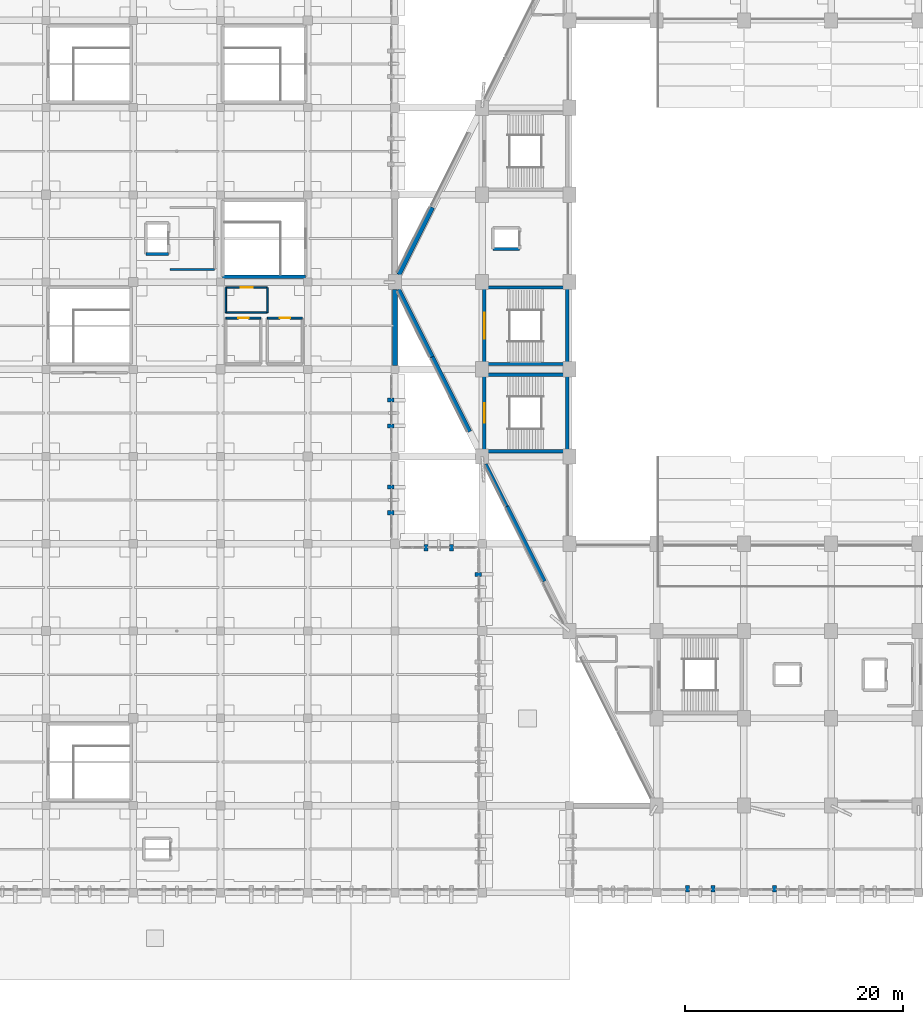
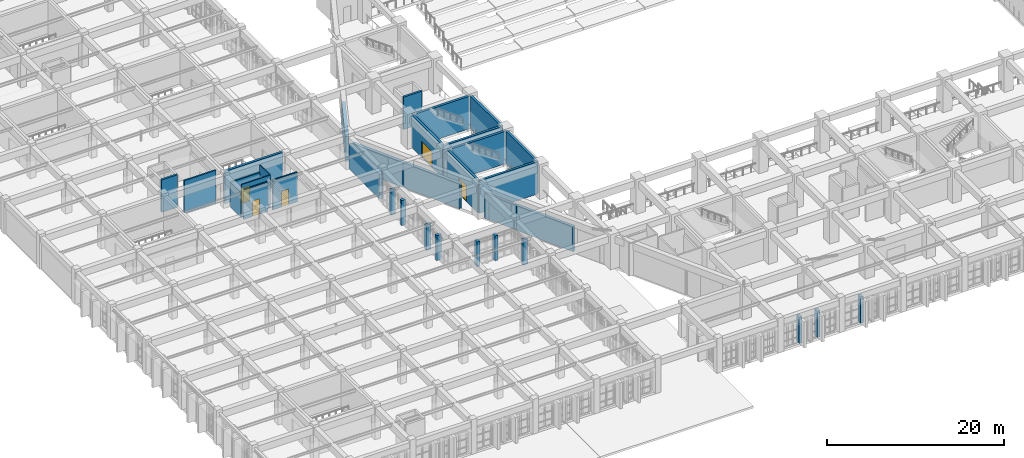
# One storey, part 134 of 155: 34 walls, 5 doors, 5 openings.
"""IFC4 building model written with IfcOpenShell, lengths in metres."""

import ifcopenshell
import ifcopenshell.guid

model = None  # the IFC model being written
_history = None  # IfcOwnerHistory: only IFC2X3 demands one
_inside = {}  # id of a spatial element -> (the spatial element, [elements in it])
_under = {}  # id of a project, library or spatial element -> (it, [spatial elements below it])
_declared = {}  # id of a project -> (the project, [libraries it declares])
_typed = {}  # id of a type object -> (the type object, [elements of that type])
_made_of = {}  # id of a material, layer set ... -> (it, [elements and type objects made of it])


def new_model(schema):
    """Start an empty IFC model of exactly this schema.

    Asked for "IFC4X3", IfcOpenShell would pick the latest addendum, in which some entities
    have other attributes; the version numbers below select the first issue.
    IFC2X3 requires an IfcOwnerHistory on every rooted entity: one is made here for all.
    """
    global model, _history
    if schema == "IFC4X3":
        model = ifcopenshell.file(schema_version=(4, 3, 0, 0))
    else:
        model = ifcopenshell.file(schema=schema)
    _inside.clear()
    _under.clear()
    _declared.clear()
    _typed.clear()
    _made_of.clear()
    _history = None
    if model.schema == "IFC2X3":
        org = make("IfcOrganization", Name="unknown")
        user = make(
            "IfcPersonAndOrganization",
            ThePerson=make("IfcPerson", FamilyName="unknown"),
            TheOrganization=org,
        )
        app = make(
            "IfcApplication",
            ApplicationDeveloper=org,
            Version="unknown",
            ApplicationFullName="unknown",
            ApplicationIdentifier="unknown",
        )
        _history = make(
            "IfcOwnerHistory",
            OwningUser=user,
            OwningApplication=app,
            ChangeAction="ADDED",
            CreationDate=0,
        )
    return model


def make(cls, **values):
    """One entity of the class cls with the attributes given. An attribute that is None is left unset."""
    return model.create_entity(
        cls, **{name: value for name, value in values.items() if value is not None}
    )


def rooted(cls, **values):
    """An entity with a GlobalId (a new one), such as an element, a storey or a relation."""
    return make(cls, GlobalId=ifcopenshell.guid.new(), OwnerHistory=_history, **values)


def si_unit(unit_type, name, prefix=None):
    """IfcSIUnit, for example si_unit("LENGTHUNIT", "METRE", prefix="MILLI")."""
    return make("IfcSIUnit", UnitType=unit_type, Prefix=prefix, Name=name)


def assignment(units):
    """IfcUnitAssignment: the units of a project."""
    return None if units is None else make("IfcUnitAssignment", Units=units)


def point(xyz):
    """IfcCartesianPoint."""
    return None if xyz is None else make("IfcCartesianPoint", Coordinates=xyz)


def direction(xyz):
    """IfcDirection."""
    return None if xyz is None else make("IfcDirection", DirectionRatios=xyz)


def frame(location, z_axis=None, x_axis=None):
    """IfcAxis2Placement3D, a coordinate frame: its origin and axes. An axis left out is left unset."""
    return make(
        "IfcAxis2Placement3D",
        Location=point(location),
        Axis=direction(z_axis),
        RefDirection=direction(x_axis),
    )


def frame_2d(location, x_axis=None):
    """IfcAxis2Placement2D, a coordinate frame in the plane: its origin and x axis."""
    return make(
        "IfcAxis2Placement2D", Location=point(location), RefDirection=direction(x_axis)
    )


def origin():
    """The frame at (0, 0, 0) with its axes left unset."""
    return frame((0.0, 0.0, 0.0))


def place(relative_to, where):
    """IfcLocalPlacement: puts the frame where relative to a parent placement (None: the world)."""
    return make(
        "IfcLocalPlacement", PlacementRelTo=relative_to, RelativePlacement=where
    )


def context(
    kind, dimensions, precision=None, world=None, true_north=None, identifier=None
):
    """IfcGeometricRepresentationContext, for example the 3D "Model" context."""
    return make(
        "IfcGeometricRepresentationContext",
        ContextIdentifier=identifier,
        ContextType=kind,
        CoordinateSpaceDimension=dimensions,
        Precision=precision,
        WorldCoordinateSystem=world,
        TrueNorth=true_north,
    )


def subcontext(parent, identifier, kind, view, scale=None):
    """IfcGeometricRepresentationSubContext, for example "Body" below "Model"."""
    return make(
        "IfcGeometricRepresentationSubContext",
        ContextIdentifier=identifier,
        ContextType=kind,
        ParentContext=parent,
        TargetScale=scale,
        TargetView=view,
    )


def project(units=None, contexts=None):
    """IfcProject with its units and contexts."""
    return rooted(
        "IfcProject",
        Name="project",
        RepresentationContexts=contexts,
        UnitsInContext=assignment(units),
    )


def spatial(cls, under=None, at=None, **own):
    """A site, building, storey or space (cls), placed at a placement, below another one or the project."""
    s = rooted(cls, ObjectPlacement=at, **own)
    if under is not None:
        _under.setdefault(under.id(), (under, []))[1].append(s)
    return s


def profile(cls, at=None, kind="AREA", **sizes):
    """A parametric profile (cls). Its sizes go by their IFC names, for example OverallWidth=200.0."""
    return make(cls, ProfileType=kind, Position=at, **sizes)


def rectangle(**sizes):
    """IfcRectangleProfileDef."""
    return profile("IfcRectangleProfileDef", **sizes)


def extrude(swept, where, along, depth):
    """IfcExtrudedAreaSolid: the profile swept, set in the frame where, extruded along a direction by depth."""
    return make(
        "IfcExtrudedAreaSolid",
        SweptArea=swept,
        Position=where,
        ExtrudedDirection=direction(along),
        Depth=depth,
    )


def shape(context_of_items, identifier, shape_type, items):
    """IfcShapeRepresentation: the items that make up one representation, for example the "Body"."""
    return make(
        "IfcShapeRepresentation",
        ContextOfItems=context_of_items,
        RepresentationIdentifier=identifier,
        RepresentationType=shape_type,
        Items=items,
    )


def material(Name=None, Category=None):
    """IfcMaterial."""
    return make("IfcMaterial", Name=Name, Category=Category)


def layer(
    of_material, thickness, ventilated=None, Name=None, Category=None, Priority=None
):
    """IfcMaterialLayer: one layer of a wall or slab, of a material (None: an air gap)."""
    return make(
        "IfcMaterialLayer",
        Material=of_material,
        LayerThickness=thickness,
        IsVentilated=ventilated,
        Name=Name,
        Category=Category,
        Priority=Priority,
    )


def layer_set(layers, Name=None):
    """IfcMaterialLayerSet."""
    return make("IfcMaterialLayerSet", MaterialLayers=layers, LayerSetName=Name)


def made_of(thing, what):
    """Note that an element or type object is made of a material, layer set ...; save() writes the relation."""
    if what is not None:
        _made_of.setdefault(what.id(), (what, []))[1].append(thing)
    return thing


def type_object(cls, material=None, **own):
    """A type object (cls), such as IfcWallType, which elements share."""
    return made_of(rooted(cls, **own), material)


def element(
    cls,
    number,
    at=None,
    inside=None,
    cuts=None,
    type_object=None,
    material=None,
    context=None,
    identifier="Body",
    shape_type=None,
    held_by="IfcProductDefinitionShape",
    body=None,
    shapes=None,
    **own,
):
    """One element of the class cls, such as IfcWall. Its Tag is "e" and its number.

    at: its placement. inside: the storey or other place that contains it. cuts: it is an
    opening in that element (IfcRelVoidsElement). A single representation is given by context,
    identifier, shape_type and body (its items); several are given by shapes. held_by: the class
    of the entity that holds the representations. save() writes the other relations.
    """
    e = rooted(cls, Tag="e%d" % number, ObjectPlacement=at, **own)
    if body is not None:
        shapes = [shape(context, identifier, shape_type, body)]
    if shapes is not None:
        e.Representation = make(held_by, Representations=shapes)
    if inside is not None:
        _inside.setdefault(inside.id(), (inside, []))[1].append(e)
    if cuts is not None:
        rooted(
            "IfcRelVoidsElement", RelatingBuildingElement=cuts, RelatedOpeningElement=e
        )
    if type_object is not None:
        _typed.setdefault(type_object.id(), (type_object, []))[1].append(e)
    return made_of(e, material)


def fill(opening, filler):
    """IfcRelFillsElement: the door or window that sits in an opening."""
    return rooted(
        "IfcRelFillsElement",
        RelatingOpeningElement=opening,
        RelatedBuildingElement=filler,
    )


def aggregate(whole, parts):
    """IfcRelAggregates: a whole, such as a stair, and the parts it consists of."""
    return rooted("IfcRelAggregates", RelatingObject=whole, RelatedObjects=parts)


def save(model, path):
    """Write the relations noted so far, then the file.

    IfcRelAggregates (storeys below a building ...), IfcRelContainedInSpatialStructure (elements
    in a storey), IfcRelDefinesByType, IfcRelAssociatesMaterial and IfcRelDeclares: one each for
    every whole, place, type object, material and project.
    """
    for whole, parts in _under.values():
        aggregate(whole, parts)
    for where, things in _inside.values():
        rooted(
            "IfcRelContainedInSpatialStructure",
            RelatedElements=things,
            RelatingStructure=where,
        )
    for kind, things in _typed.values():
        rooted("IfcRelDefinesByType", RelatedObjects=things, RelatingType=kind)
    for what, things in _made_of.values():
        rooted("IfcRelAssociatesMaterial", RelatedObjects=things, RelatingMaterial=what)
    for by, libraries in _declared.values():
        rooted("IfcRelDeclares", RelatingContext=by, RelatedDefinitions=libraries)
    model.write(path)


model = new_model("IFC4")

# Units and contexts
model_context = context("Model", 3, precision=1e-05, world=origin(), true_north=direction((0.0, 1.0)))
body_context = subcontext(model_context, "Body", "Model", "MODEL_VIEW")
ifc_project = project(units=[si_unit("LENGTHUNIT", "METRE"), si_unit("AREAUNIT", "SQUARE_METRE"), si_unit("VOLUMEUNIT", "CUBIC_METRE"), si_unit("PLANEANGLEUNIT", "RADIAN"), si_unit("MASSUNIT", "GRAM", prefix="KILO")], contexts=[model_context])

# Site, building, storey
site_placement = place(None, origin())
site = spatial("IfcSite", under=ifc_project, at=site_placement, CompositionType="ELEMENT")
building_placement = place(site_placement, origin())
building = spatial("IfcBuilding", under=site, at=building_placement, Name="Tazarka Park Arena", CompositionType="ELEMENT")
storey_placement = place(building_placement, frame((0.0, 0.0, 5.39990234375)))
storey = spatial("IfcBuildingStorey", under=building, at=storey_placement, Name="L01", CompositionType="ELEMENT", Elevation=5.39990234375)

# Wall
ifc_material_1 = material(Name="Concrete C40/50", Category="concrete")
ifc_layer_1 = layer(ifc_material_1, 0.300048828125, Name="Concrete C40/50")
ifc_layer_set_1 = layer_set([ifc_layer_1], Name="Concrete C40/50")
wall_type_1 = type_object("IfcWallType", Name="IWAL-CW-S1", PredefinedType="SHEAR", material=ifc_layer_set_1)
wall_1_placement = place(storey_placement, frame((55.800048828125, 56.5, 0.0), z_axis=(0.0, 0.0, 1.0), x_axis=(-1.0, 0.0, 0.0)))
element("IfcWall", 1, at=wall_1_placement, inside=storey, type_object=wall_type_1, Name="SCW-L01-ST13-S", PredefinedType="SHEAR", context=body_context, shape_type="SweptSolid", body=[
    extrude(rectangle(XDim=7.60009765625, YDim=0.300048828125, at=frame_2d((3.800048828125, 0.0))), origin(), (0.0, 0.0, 1.0), 4.47998046875),
])

# Wall, opening, door
wall_2_placement = place(storey_placement, frame((48.199951171875, 56.5, 0.0), z_axis=(0.0, 0.0, 1.0), x_axis=(0.0, 1.0, 0.0)))
wall_2 = element("IfcWall", 2, at=wall_2_placement, inside=storey, type_object=wall_type_1, Name="SCW-L01-ST13-W", PredefinedType="SHEAR", context=body_context, shape_type="SweptSolid", body=[
    extrude(rectangle(XDim=7.0, YDim=0.300048828125, at=frame_2d((3.5, 0.0))), origin(), (0.0, 0.0, 1.0), 4.47998046875),
])
opening_1_placement = place(wall_2_placement, frame((2.300048828125, 0.0, 0.0)))
opening_1 = element("IfcOpeningElement", 3, at=opening_1_placement, cuts=wall_2, Name="Opening ID-05", PredefinedType="OPENING", context=body_context, shape_type="SweptSolid", body=[
    extrude(rectangle(XDim=2.39990234375, YDim=2.199951171875, at=frame_2d((1.199951171875, 1.10009765625))), frame((0.0, 0.16015625, 0.0), z_axis=(0.0, -1.0, 0.0), x_axis=(1.0, 0.0, 0.0)), (0.0, 0.0, 1.0), 0.320068359375),
])
ifc_material_2 = material(Name="Fire-rated powder-coated steel and acoustic timber", Category="steel")
door_type_1 = type_object("IfcDoorType", Name="IDR-ID-05", OperationType="NOTDEFINED", PredefinedType="DOOR", material=ifc_material_2)
door_1_placement = place(opening_1_placement, frame((2.39990234375, 0.0, 0.0), z_axis=(0.0, 0.0, 1.0), x_axis=(-1.0, 0.0, 0.0)))
door_1 = element("IfcDoor", 4, at=door_1_placement, inside=storey, type_object=door_type_1, Name="Exit Stair Door ST13-L01", OperationType="DOUBLE_DOOR_SINGLE_SWING", OverallHeight=2.199951171875, OverallWidth=2.39990234375, PredefinedType="DOOR", context=body_context, shape_type="SweptSolid", body=[
    extrude(rectangle(XDim=2.39990234375, YDim=2.199951171875, at=frame_2d((1.199951171875, 1.10009765625))), frame((0.0, 0.02490234375, 0.0), z_axis=(0.0, -1.0, 0.0), x_axis=(1.0, 0.0, 0.0)), (0.0, 0.0, 1.0), 0.050048828125),
])
fill(opening_1, door_1)

# Walls
wall_3_placement = place(storey_placement, frame((48.199951171875, 63.5, 0.0), z_axis=(0.0, 0.0, 1.0), x_axis=(1.0, 0.0, 0.0)))
element("IfcWall", 5, at=wall_3_placement, inside=storey, type_object=wall_type_1, Name="SCW-L01-ST13-N", PredefinedType="SHEAR", context=body_context, shape_type="SweptSolid", body=[
    extrude(rectangle(XDim=7.60009765625, YDim=0.300048828125, at=frame_2d((3.800048828125, 0.0))), origin(), (0.0, 0.0, 1.0), 4.47998046875),
])
wall_4_placement = place(storey_placement, frame((55.800048828125, 63.5, 0.0), z_axis=(0.0, 0.0, 1.0), x_axis=(0.0, -1.0, 0.0)))
element("IfcWall", 6, at=wall_4_placement, inside=storey, type_object=wall_type_1, Name="SCW-L01-ST13-E", PredefinedType="SHEAR", context=body_context, shape_type="SweptSolid", body=[
    extrude(rectangle(XDim=7.0, YDim=0.300048828125, at=frame_2d((3.5, 0.0))), origin(), (0.0, 0.0, 1.0), 4.47998046875),
])
wall_5_placement = place(storey_placement, frame((55.800048828125, 48.5, 0.0), z_axis=(0.0, 0.0, 1.0), x_axis=(-1.0, 0.0, 0.0)))
element("IfcWall", 7, at=wall_5_placement, inside=storey, type_object=wall_type_1, Name="SCW-L01-ST19-S", PredefinedType="SHEAR", context=body_context, shape_type="SweptSolid", body=[
    extrude(rectangle(XDim=7.60009765625, YDim=0.300048828125, at=frame_2d((3.800048828125, 0.0))), origin(), (0.0, 0.0, 1.0), 4.47998046875),
])

# Wall, opening, door
wall_6_placement = place(storey_placement, frame((48.199951171875, 48.5, 0.0), z_axis=(0.0, 0.0, 1.0), x_axis=(0.0, 1.0, 0.0)))
wall_6 = element("IfcWall", 8, at=wall_6_placement, inside=storey, type_object=wall_type_1, Name="SCW-L01-ST19-W", PredefinedType="SHEAR", context=body_context, shape_type="SweptSolid", body=[
    extrude(rectangle(XDim=7.0, YDim=0.300048828125, at=frame_2d((3.5, 0.0))), origin(), (0.0, 0.0, 1.0), 4.47998046875),
])
opening_2_placement = place(wall_6_placement, frame((2.60009765625, 0.0, 0.0)))
opening_2 = element("IfcOpeningElement", 9, at=opening_2_placement, cuts=wall_6, Name="Opening ID-04", PredefinedType="OPENING", context=body_context, shape_type="SweptSolid", body=[
    extrude(rectangle(XDim=1.800048828125, YDim=2.199951171875, at=frame_2d((0.89990234375, 1.10009765625))), frame((0.0, 0.16015625, 0.0), z_axis=(0.0, -1.0, 0.0), x_axis=(1.0, 0.0, 0.0)), (0.0, 0.0, 1.0), 0.320068359375),
])
ifc_material_3 = material(Name="Fire-rated powder-coated steel and acoustic timber", Category="steel")
door_type_2 = type_object("IfcDoorType", Name="IDR-ID-04", OperationType="NOTDEFINED", PredefinedType="DOOR", material=ifc_material_3)
door_2_placement = place(opening_2_placement, frame((1.800048828125, 0.0, 0.0), z_axis=(0.0, 0.0, 1.0), x_axis=(-1.0, 0.0, 0.0)))
door_2 = element("IfcDoor", 10, at=door_2_placement, inside=storey, type_object=door_type_2, Name="Vomitory Stair Door ST19-L01", OperationType="DOUBLE_DOOR_SINGLE_SWING", OverallHeight=2.199951171875, OverallWidth=1.800048828125, PredefinedType="DOOR", context=body_context, shape_type="SweptSolid", body=[
    extrude(rectangle(XDim=1.800048828125, YDim=2.199951171875, at=frame_2d((0.89990234375, 1.10009765625))), frame((0.0, 0.02490234375, 0.0), z_axis=(0.0, -1.0, 0.0), x_axis=(1.0, 0.0, 0.0)), (0.0, 0.0, 1.0), 0.050048828125),
])
fill(opening_2, door_2)

# Walls
wall_7_placement = place(storey_placement, frame((48.199951171875, 55.5, 0.0), z_axis=(0.0, 0.0, 1.0), x_axis=(1.0, 0.0, 0.0)))
element("IfcWall", 11, at=wall_7_placement, inside=storey, type_object=wall_type_1, Name="SCW-L01-ST19-N", PredefinedType="SHEAR", context=body_context, shape_type="SweptSolid", body=[
    extrude(rectangle(XDim=7.60009765625, YDim=0.300048828125, at=frame_2d((3.800048828125, 0.0))), origin(), (0.0, 0.0, 1.0), 4.47998046875),
])
wall_8_placement = place(storey_placement, frame((55.800048828125, 55.5, 0.0), z_axis=(0.0, 0.0, 1.0), x_axis=(0.0, -1.0, 0.0)))
element("IfcWall", 12, at=wall_8_placement, inside=storey, type_object=wall_type_1, Name="SCW-L01-ST19-E", PredefinedType="SHEAR", context=body_context, shape_type="SweptSolid", body=[
    extrude(rectangle(XDim=7.0, YDim=0.300048828125, at=frame_2d((3.5, 0.0))), origin(), (0.0, 0.0, 1.0), 4.47998046875),
])
wall_9_placement = place(storey_placement, frame((31.800048828125, 64.5, 0.0), z_axis=(0.0, 0.0, 1.0), x_axis=(-1.0, 0.0, 0.0)))
element("IfcWall", 13, at=wall_9_placement, inside=storey, type_object=wall_type_1, Name="SCW-L01-ST24-S", PredefinedType="SHEAR", context=body_context, shape_type="SweptSolid", body=[
    extrude(rectangle(XDim=7.60009765625, YDim=0.300048828125, at=frame_2d((3.800048828125, 0.0))), origin(), (0.0, 0.0, 1.0), 4.47998046875),
])
ifc_material_4 = material(Name="Concrete C40/50", Category="concrete")
ifc_layer_2 = layer(ifc_material_4, 0.260009765625, Name="Concrete C40/50")
ifc_layer_set_2 = layer_set([ifc_layer_2], Name="Concrete C40/50")
wall_type_2 = type_object("IfcWallType", Name="IWAL-CW-S3", PredefinedType="SHEAR", material=ifc_layer_set_2)
wall_10_placement = place(storey_placement, frame((19.219970703125, 66.580078125, 0.0), z_axis=(0.0, 0.0, 1.0), x_axis=(-1.0, 0.0, 0.0)))
element("IfcWall", 14, at=wall_10_placement, inside=storey, type_object=wall_type_2, Name="LSW-L01-LF-01-S", PredefinedType="SHEAR", context=body_context, shape_type="SweptSolid", body=[
    extrude(rectangle(XDim=2.0400390625, YDim=0.260009765625, at=frame_2d((1.02001953125, 0.0))), origin(), (0.0, 0.0, 1.0), 4.47998046875),
])
wall_11_placement = place(storey_placement, frame((51.419921875, 67.030029296875, 0.0), z_axis=(0.0, 0.0, 1.0), x_axis=(-1.0, 0.0, 0.0)))
element("IfcWall", 15, at=wall_11_placement, inside=storey, type_object=wall_type_2, Name="LSW-L01-LF-09-S", PredefinedType="SHEAR", context=body_context, shape_type="SweptSolid", body=[
    extrude(rectangle(XDim=2.43994140625, YDim=0.260009765625, at=frame_2d((1.219970703125, 0.0))), origin(), (0.0, 0.0, 1.0), 4.47998046875),
])
ifc_material_5 = material(Name="Reinforced masonry compartment wall", Category="masonry")
ifc_layer_3 = layer(ifc_material_5, 0.199951171875, Name="Reinforced masonry compartment wall")
ifc_layer_set_3 = layer_set([ifc_layer_3], Name="Reinforced masonry compartment wall")
wall_type_3 = type_object("IfcWallType", Name="IWAL-PT-04", PredefinedType="PARTITIONING", material=ifc_layer_set_3)
wall_12_placement = place(storey_placement, frame((23.449951171875, 65.14990234375, 0.0), z_axis=(0.0, 0.0, 1.0), x_axis=(-1.0, 0.0, 0.0)))
element("IfcWall", 16, at=wall_12_placement, inside=storey, type_object=wall_type_3, Name="FFW-L01-LF-01-S", PredefinedType="PARTITIONING", context=body_context, shape_type="SweptSolid", body=[
    extrude(rectangle(XDim=4.099853515625, YDim=0.199951171875, at=frame_2d((2.0498046875, 0.0))), origin(), (0.0, 0.0, 1.0), 4.47998046875),
])
ifc_material_6 = material(Name="Acoustic gypsum stud partition")
ifc_layer_4 = layer(ifc_material_6, 0.135009765625, Name="Acoustic gypsum stud partition")
ifc_layer_set_4 = layer_set([ifc_layer_4], Name="Acoustic gypsum stud partition")
wall_type_4 = type_object("IfcWallType", Name="IWAL-PT-10", PredefinedType="PARTITIONING", material=ifc_layer_set_4)
wall_13_placement = place(storey_placement, frame((24.5, 61.199951171875, 0.0), z_axis=(0.0, 0.0, 1.0), x_axis=(1.0, 0.0, 0.0)))
element("IfcWall", 17, at=wall_13_placement, inside=storey, type_object=wall_type_4, Name="WCE-L01-068", PredefinedType="PARTITIONING", context=body_context, shape_type="SweptSolid", body=[
    extrude(rectangle(XDim=3.800048828125, YDim=0.135009765625, at=frame_2d((1.89990234375, 0.0))), origin(), (0.0, 0.0, 1.0), 4.47998046875),
])
wall_14_placement = place(storey_placement, frame((28.300048828125, 61.199951171875, 0.0), z_axis=(0.0, 0.0, 1.0), x_axis=(0.0, 1.0, 0.0)))
element("IfcWall", 18, at=wall_14_placement, inside=storey, type_object=wall_type_4, Name="WCE-L01-069", PredefinedType="PARTITIONING", context=body_context, shape_type="SweptSolid", body=[
    extrude(rectangle(XDim=2.300048828125, YDim=0.135009765625, at=frame_2d((1.14990234375, 0.0))), origin(), (0.0, 0.0, 1.0), 4.47998046875),
])

# Wall, opening, door
wall_15_placement = place(storey_placement, frame((28.300048828125, 63.5, 0.0), z_axis=(0.0, 0.0, 1.0), x_axis=(-1.0, 0.0, 0.0)))
wall_15 = element("IfcWall", 19, at=wall_15_placement, inside=storey, type_object=wall_type_4, Name="WCE-L01-070", PredefinedType="PARTITIONING", context=body_context, shape_type="SweptSolid", body=[
    extrude(rectangle(XDim=3.800048828125, YDim=0.135009765625, at=frame_2d((1.89990234375, 0.0))), origin(), (0.0, 0.0, 1.0), 3.4501953125),
])
opening_3_placement = place(wall_15_placement, frame((1.35009765625, 0.0, 0.0)))
opening_3 = element("IfcOpeningElement", 20, at=opening_3_placement, cuts=wall_15, Name="Opening ID-02", PredefinedType="OPENING", context=body_context, shape_type="SweptSolid", body=[
    extrude(rectangle(XDim=1.10009765625, YDim=2.14990234375, at=frame_2d((0.550048828125, 1.074951171875))), frame((0.0, 0.07763671875, 0.0), z_axis=(0.0, -1.0, 0.0), x_axis=(1.0, 0.0, 0.0)), (0.0, 0.0, 1.0), 0.155029296875),
])
ifc_material_7 = material(Name="Fire-rated powder-coated steel and acoustic timber", Category="steel")
door_type_3 = type_object("IfcDoorType", Name="IDR-ID-02", OperationType="NOTDEFINED", PredefinedType="DOOR", material=ifc_material_7)
door_3_placement = place(opening_3_placement, origin())
door_3 = element("IfcDoor", 21, at=door_3_placement, inside=storey, type_object=door_type_3, Name="Room Door Accessible WC West 1", OperationType="SINGLE_SWING_RIGHT", OverallHeight=2.14990234375, OverallWidth=1.10009765625, PredefinedType="DOOR", context=body_context, shape_type="SweptSolid", body=[
    extrude(rectangle(XDim=1.10009765625, YDim=2.14990234375, at=frame_2d((0.550048828125, 1.074951171875))), frame((0.0, 0.02490234375, 0.0), z_axis=(0.0, -1.0, 0.0), x_axis=(1.0, 0.0, 0.0)), (0.0, 0.0, 1.0), 0.050048828125),
])
fill(opening_3, door_3)

# Wall
wall_16_placement = place(storey_placement, frame((24.5, 63.5, 0.0), z_axis=(0.0, 0.0, 1.0), x_axis=(0.0, -1.0, 0.0)))
element("IfcWall", 22, at=wall_16_placement, inside=storey, type_object=wall_type_4, Name="WCE-L01-071", PredefinedType="PARTITIONING", context=body_context, shape_type="SweptSolid", body=[
    extrude(rectangle(XDim=2.300048828125, YDim=0.135009765625, at=frame_2d((1.14990234375, 0.0))), origin(), (0.0, 0.0, 1.0), 3.4501953125),
])

# Wall, opening, door
ifc_material_8 = material(Name="Wet-zone tiled blockwork wall", Category="masonry")
ifc_layer_5 = layer(ifc_material_8, 0.175048828125, Name="Wet-zone tiled blockwork wall")
ifc_layer_set_5 = layer_set([ifc_layer_5], Name="Wet-zone tiled blockwork wall")
wall_type_5 = type_object("IfcWallType", Name="IWAL-PT-18", PredefinedType="PARTITIONING", material=ifc_layer_set_5)
wall_17_placement = place(storey_placement, frame((27.699951171875, 60.699951171875, 0.0), z_axis=(0.0, 0.0, 1.0), x_axis=(-1.0, 0.0, 0.0)))
wall_17 = element("IfcWall", 23, at=wall_17_placement, inside=storey, type_object=wall_type_5, Name="WCE-L01-062", PredefinedType="PARTITIONING", context=body_context, shape_type="SweptSolid", body=[
    extrude(rectangle(XDim=3.199951171875, YDim=0.175048828125, at=frame_2d((1.60009765625, 0.0))), origin(), (0.0, 0.0, 1.0), 4.10009765625),
])
opening_4_placement = place(wall_17_placement, frame((1.125, 0.0, 0.0)))
opening_4 = element("IfcOpeningElement", 24, at=opening_4_placement, cuts=wall_17, Name="Opening ID-09", PredefinedType="OPENING", context=body_context, shape_type="SweptSolid", body=[
    extrude(rectangle(XDim=0.949951171875, YDim=2.14990234375, at=frame_2d((0.47509765625, 1.074951171875))), frame((0.0, 0.09765625, 0.0), z_axis=(0.0, -1.0, 0.0), x_axis=(1.0, 0.0, 0.0)), (0.0, 0.0, 1.0), 0.195068359375),
])
ifc_material_9 = material(Name="Fire-rated powder-coated steel and acoustic timber", Category="steel")
door_type_4 = type_object("IfcDoorType", Name="IDR-ID-09", OperationType="NOTDEFINED", PredefinedType="DOOR", material=ifc_material_9)
door_4_placement = place(opening_4_placement, origin())
door_4 = element("IfcDoor", 25, at=door_4_placement, inside=storey, type_object=door_type_4, Name="Room Door Public Male WC West 1", OperationType="SINGLE_SWING_RIGHT", OverallHeight=2.14990234375, OverallWidth=0.949951171875, PredefinedType="DOOR", context=body_context, shape_type="SweptSolid", body=[
    extrude(rectangle(XDim=0.949951171875, YDim=2.14990234375, at=frame_2d((0.47509765625, 1.074951171875))), frame((0.0, 0.02490234375, 0.0), z_axis=(0.0, -1.0, 0.0), x_axis=(1.0, 0.0, 0.0)), (0.0, 0.0, 1.0), 0.050048828125),
])
fill(opening_4, door_4)

wall_18_placement = place(storey_placement, frame((31.5, 60.699951171875, 0.0), z_axis=(0.0, 0.0, 1.0), x_axis=(-1.0, 0.0, 0.0)))
wall_18 = element("IfcWall", 26, at=wall_18_placement, inside=storey, type_object=wall_type_5, Name="WCE-L01-066", PredefinedType="PARTITIONING", context=body_context, shape_type="SweptSolid", body=[
    extrude(rectangle(XDim=3.199951171875, YDim=0.175048828125, at=frame_2d((1.60009765625, 0.0))), origin(), (0.0, 0.0, 1.0), 4.10009765625),
])
opening_5_placement = place(wall_18_placement, frame((1.125, 0.0, 0.0)))
opening_5 = element("IfcOpeningElement", 27, at=opening_5_placement, cuts=wall_18, Name="Opening ID-09", PredefinedType="OPENING", context=body_context, shape_type="SweptSolid", body=[
    extrude(rectangle(XDim=0.949951171875, YDim=2.14990234375, at=frame_2d((0.47509765625, 1.074951171875))), frame((0.0, 0.09765625, 0.0), z_axis=(0.0, -1.0, 0.0), x_axis=(1.0, 0.0, 0.0)), (0.0, 0.0, 1.0), 0.195068359375),
])
door_5_placement = place(opening_5_placement, origin())
door_5 = element("IfcDoor", 28, at=door_5_placement, inside=storey, type_object=door_type_4, Name="Room Door Public Female WC West 1", OperationType="SINGLE_SWING_LEFT", OverallHeight=2.14990234375, OverallWidth=0.949951171875, PredefinedType="DOOR", context=body_context, shape_type="SweptSolid", body=[
    extrude(rectangle(XDim=0.949951171875, YDim=2.14990234375, at=frame_2d((0.47509765625, 1.074951171875))), frame((0.0, 0.02490234375, 0.0), z_axis=(0.0, -1.0, 0.0), x_axis=(1.0, 0.0, 0.0)), (0.0, 0.0, 1.0), 0.050048828125),
])
fill(opening_5, door_5)

# Walls
ifc_material_10 = material(Name="Concrete C50/60", Category="concrete")
ifc_layer_6 = layer(ifc_material_10, 0.3798828125, Name="Concrete C50/60")
ifc_layer_set_6 = layer_set([ifc_layer_6], Name="Concrete C50/60")
wall_type_6 = type_object("IfcWallType", Name="WAL-EW-05", PredefinedType="SOLIDWALL", material=ifc_layer_set_6)
for number, where, z_axis, x_axis, name in (
    (29, (69.181640625, 8.669921875, 0.0), (0.0, 0.0, 1.0), (0.0, -1.0, 0.0), "BFP-L01-007-1"),
    (30, (66.818359375, 8.669921875, 0.0), (0.0, 0.0, 1.0), (0.0, -1.0, 0.0), "BFP-L01-007-2"),
    (31, (74.818359375, 8.669921875, 0.0), (0.0, 0.0, 1.0), (0.0, -1.0, 0.0), "BFP-L01-010-2"),
):
    element("IfcWall", number, at=place(storey_placement, frame(where, z_axis=z_axis, x_axis=x_axis)), inside=storey, type_object=wall_type_6, Name=name, PredefinedType="SOLIDWALL", context=body_context, shape_type="SweptSolid", body=[
        extrude(rectangle(XDim=0.599853515625, YDim=0.3798828125, at=frame_2d((0.2998046875, 0.0))), origin(), (0.0, 0.0, 1.0), 3.60009765625),
    ])
for number, where, z_axis, x_axis, name in (
    (32, (47.330078125, 37.1982421875, 0.0), (0.0, 0.0, 1.0), (1.0, 0.0, 0.0), "BFP-L01-097-1"),
    (33, (42.851806640625, 39.330078125, 0.0), (0.0, 0.0, 1.0), (0.0, 1.0, 0.0), "BFP-L01-100-1"),
    (34, (45.1982421875, 39.330078125, 0.0), (0.0, 0.0, 1.0), (0.0, 1.0, 0.0), "BFP-L01-100-2"),
    (35, (39.330078125, 45.1982421875, 0.0), (0.0, 0.0, 1.0), (1.0, 0.0, 0.0), "BFP-L01-103-1"),
    (36, (39.330078125, 42.851806640625, 0.0), (0.0, 0.0, 1.0), (1.0, 0.0, 0.0), "BFP-L01-103-2"),
    (37, (39.330078125, 53.181640625, 0.0), (0.0, 0.0, 1.0), (1.0, 0.0, 0.0), "BFP-L01-106-1"),
    (38, (39.330078125, 50.818359375, 0.0), (0.0, 0.0, 1.0), (1.0, 0.0, 0.0), "BFP-L01-106-2"),
):
    element("IfcWall", number, at=place(storey_placement, frame(where, z_axis=z_axis, x_axis=x_axis)), inside=storey, type_object=wall_type_6, Name=name, PredefinedType="SOLIDWALL", context=body_context, shape_type="SweptSolid", body=[
        extrude(rectangle(XDim=0.599853515625, YDim=0.3798828125, at=frame_2d((0.2998046875, 0.0))), origin(), (0.0, 0.0, 1.0), 3.4501953125),
    ])
ifc_material_11 = material(Name="Concrete C40/50", Category="concrete")
ifc_layer_7 = layer(ifc_material_11, 0.35009765625, Name="Concrete C40/50")
ifc_layer_set_7 = layer_set([ifc_layer_7], Name="Concrete C40/50")
wall_type_7 = type_object("IfcWallType", Name="WAL-EW-10", PredefinedType="SOLIDWALL", material=ifc_layer_set_7)
wall_19_placement = place(storey_placement, frame((53.71435546875, 36.5712890625, 0.0), z_axis=(0.0, 0.0, 1.0), x_axis=(-0.4472135955, 0.894427191, 0.0)))
element("IfcWall", 39, at=wall_19_placement, inside=storey, type_object=wall_type_7, Name="EW-L01-0185", PredefinedType="SOLIDWALL", context=body_context, shape_type="SweptSolid", body=[
    extrude(rectangle(XDim=7.666748046875, YDim=0.35009765625, at=frame_2d((3.83349609375, 0.0))), origin(), (0.0, 0.0, 1.0), 3.4501953125),
])
ifc_material_12 = material(Name="Precast concrete C40/50", Category="concrete")
ifc_layer_8 = layer(ifc_material_12, 0.27001953125, Name="Precast concrete C40/50")
ifc_layer_set_8 = layer_set([ifc_layer_8], Name="Precast concrete C40/50")
wall_type_8 = type_object("IfcWallType", Name="WAL-EW-11", PredefinedType="SOLIDWALL", material=ifc_layer_set_8)
wall_20_placement = place(storey_placement, frame((50.28564453125, 43.4287109375, 0.0), z_axis=(0.0, 0.0, 1.0), x_axis=(-0.447191148821, 0.894438413987, 0.0)))
element("IfcWall", 40, at=wall_20_placement, inside=storey, type_object=wall_type_8, Name="EW-L01-0186", PredefinedType="SOLIDWALL", context=body_context, shape_type="SweptSolid", body=[
    extrude(rectangle(XDim=4.3505859375, YDim=0.27001953125, at=frame_2d((2.17529296875, 0.0))), origin(), (0.0, 0.0, 1.0), 3.4501953125),
])
ifc_material_13 = material(Name="Concrete C40/50", Category="concrete")
ifc_layer_9 = layer(ifc_material_13, 0.3701171875, Name="Concrete C40/50")
ifc_layer_set_9 = layer_set([ifc_layer_9], Name="Concrete C40/50")
wall_type_9 = type_object("IfcWallType", Name="WAL-EW-12", PredefinedType="SOLIDWALL", material=ifc_layer_set_9)
wall_21_placement = place(storey_placement, frame((46.857177734375, 50.28564453125, 0.0), z_axis=(0.0, 0.0, 1.0), x_axis=(-0.447200857411, 0.894433559931, 0.0)))
element("IfcWall", 41, at=wall_21_placement, inside=storey, type_object=wall_type_9, Name="EW-L01-0187", PredefinedType="SOLIDWALL", context=body_context, shape_type="SweptSolid", body=[
    extrude(rectangle(XDim=7.66650390625, YDim=0.3701171875, at=frame_2d((3.833251953125, 0.0))), origin(), (0.0, 0.0, 1.0), 3.4501953125),
])
ifc_material_14 = material(Name="Concrete C50/60", Category="concrete")
ifc_layer_10 = layer(ifc_material_14, 0.389892578125, Name="Concrete C50/60")
ifc_layer_set_10 = layer_set([ifc_layer_10], Name="Concrete C50/60")
wall_type_10 = type_object("IfcWallType", Name="WAL-EW-13", PredefinedType="SOLIDWALL", material=ifc_layer_set_10)
wall_22_placement = place(storey_placement, frame((43.4287109375, 57.142822265625, 0.0), z_axis=(0.0, 0.0, 1.0), x_axis=(-0.4472135955, 0.894427191, 0.0)))
element("IfcWall", 42, at=wall_22_placement, inside=storey, type_object=wall_type_10, Name="EW-L01-0188", PredefinedType="SOLIDWALL", context=body_context, shape_type="SweptSolid", body=[
    extrude(rectangle(XDim=6.90625, YDim=0.389892578125, at=frame_2d((3.453125, 0.0))), origin(), (0.0, 0.0, 1.0), 3.4501953125),
])
ifc_material_15 = material(Name="Concrete C50/60", Category="concrete")
ifc_layer_11 = layer(ifc_material_15, 0.419921875, Name="Concrete C50/60")
ifc_layer_set_11 = layer_set([ifc_layer_11], Name="Concrete C50/60")
wall_type_11 = type_object("IfcWallType", Name="WAL-EW-15", PredefinedType="SOLIDWALL", material=ifc_layer_set_11)
wall_23_placement = place(storey_placement, frame((40.0, 63.320068359375, 0.0), z_axis=(0.0, 0.0, 1.0), x_axis=(0.0, -1.0, 0.0)))
element("IfcWall", 43, at=wall_23_placement, inside=storey, type_object=wall_type_11, Name="EW-L01-0190", PredefinedType="SOLIDWALL", context=body_context, shape_type="SweptSolid", body=[
    extrude(rectangle(XDim=6.965087890625, YDim=0.419921875, at=frame_2d((3.482421875, 0.0))), origin(), (0.0, 0.0, 1.0), 3.4501953125),
])
ifc_material_16 = material(Name="Concrete C50/60", Category="concrete")
ifc_layer_12 = layer(ifc_material_16, 0.429931640625, Name="Concrete C50/60")
ifc_layer_set_12 = layer_set([ifc_layer_12], Name="Concrete C50/60")
wall_type_12 = type_object("IfcWallType", Name="WAL-EW-16", PredefinedType="SOLIDWALL", material=ifc_layer_set_12)
wall_24_placement = place(storey_placement, frame((40.340087890625, 64.679931640625, 0.0), z_axis=(0.0, 0.0, 1.0), x_axis=(0.4472135955, 0.894427191, 0.0)))
element("IfcWall", 44, at=wall_24_placement, inside=storey, type_object=wall_type_12, Name="EW-L01-0175", PredefinedType="SOLIDWALL", context=body_context, shape_type="SweptSolid", body=[
    extrude(rectangle(XDim=6.90625, YDim=0.429931640625, at=frame_2d((3.453125, 0.0))), origin(), (0.0, 0.0, 1.0), 3.4501953125),
])

save(model, "model.ifc")
